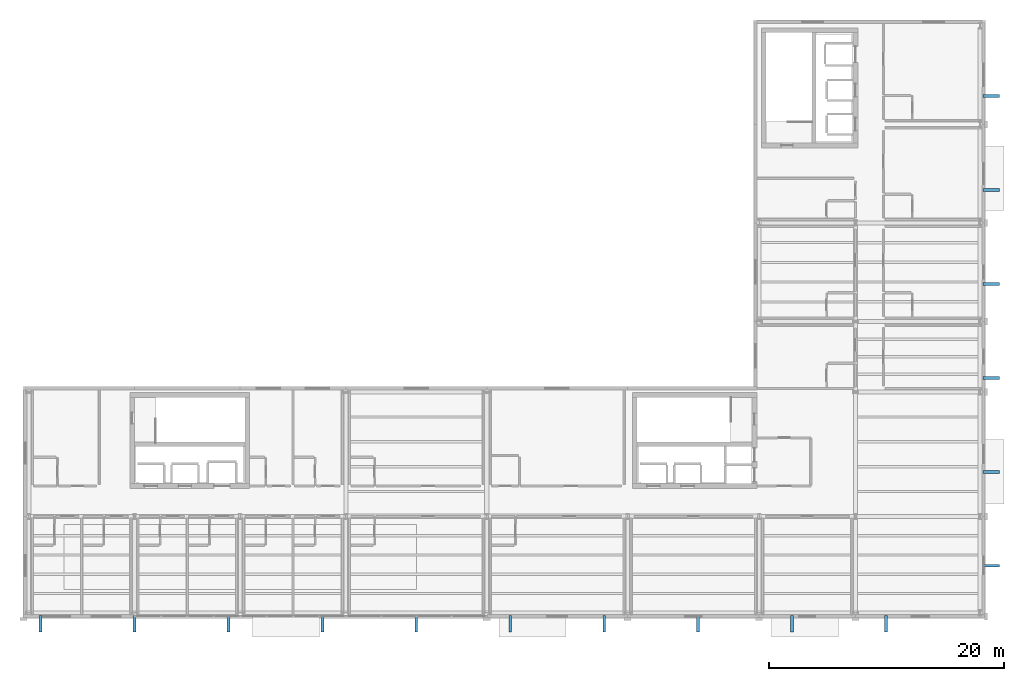
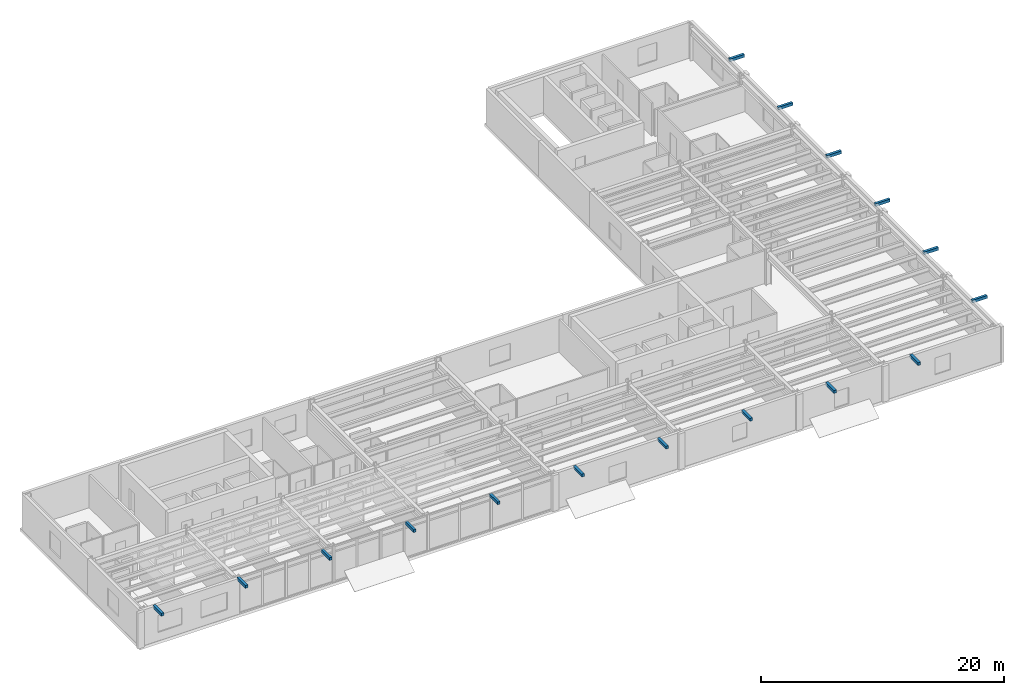
# One storey, part 18 of 19: 16 discrete accessories.
"""IFC4 building model written with IfcOpenShell, lengths in metres."""

from ifc_helpers import new_model, si_unit, direction, frame, origin, origin_2d, place, context, subcontext, project, spatial, rectangle, extrude, material, type_object, element, save


model = new_model("IFC4")

# Units and contexts
model_context = context("Model", 3, precision=1e-05, world=origin(), true_north=direction((0.0, 1.0)))
body_context = subcontext(model_context, "Body", "Model", "MODEL_VIEW")
ifc_project = project(units=[si_unit("LENGTHUNIT", "METRE"), si_unit("AREAUNIT", "SQUARE_METRE"), si_unit("VOLUMEUNIT", "CUBIC_METRE"), si_unit("PLANEANGLEUNIT", "RADIAN"), si_unit("MASSUNIT", "GRAM", prefix="KILO")], contexts=[model_context])

# Site, building, storey
site_placement = place(None, origin())
site = spatial("IfcSite", under=ifc_project, at=site_placement, CompositionType="ELEMENT")
building_placement = place(site_placement, origin())
building = spatial("IfcBuilding", under=site, at=building_placement, Name="Sollismere Congress Hotel", CompositionType="ELEMENT")
storey_placement = place(building_placement, frame((0.0, 0.0, 44.60009765625)))
storey = spatial("IfcBuildingStorey", under=building, at=storey_placement, Name="L11", CompositionType="ELEMENT", Elevation=44.60009765625)

# Discrete accessories
ifc_material = material(Name="Steel ASTM A572 Grade 50", Category="steel")
discrete_accessory_type = type_object("IfcDiscreteAccessoryType", Name="BRK-STL", PredefinedType="BRACKET", material=ifc_material)
for number, where, z_axis, x_axis, name in (
    (1, (86.0, -0.949951171875, 3.33984375), (0.0, 0.0, 1.0), (1.0, 0.0, 0.0), "BRK-MD-071"),
    (2, (94.0, -0.949951171875, 3.33984375), (0.0, 0.0, 1.0), (1.0, 0.0, 0.0), "BRK-MD-072"),
    (3, (102.0, -0.949951171875, 3.33984375), (0.0, 0.0, 1.0), (1.0, 0.0, 0.0), "BRK-MD-073"),
    (4, (110.0, -0.949951171875, 3.33984375), (0.0, 0.0, 1.0), (1.0, 0.0, 0.0), "BRK-MD-074"),
    (5, (118.0, -0.949951171875, 3.33984375), (0.0, 0.0, 1.0), (1.0, 0.0, 0.0), "BRK-MD-075"),
    (6, (126.0, -0.949951171875, 3.33984375), (0.0, 0.0, 1.0), (1.0, 0.0, 0.0), "BRK-MD-076"),
    (7, (134.0, -0.949951171875, 3.33984375), (0.0, 0.0, 1.0), (1.0, 0.0, 0.0), "BRK-MD-077"),
    (8, (142.0, -0.949951171875, 3.33984375), (0.0, 0.0, 1.0), (1.0, 0.0, 0.0), "BRK-MD-078"),
    (9, (150.0, -0.949951171875, 3.33984375), (0.0, 0.0, 1.0), (1.0, 0.0, 0.0), "BRK-MD-079"),
    (10, (158.0, -0.949951171875, 3.33984375), (0.0, 0.0, 1.0), (1.0, 0.0, 0.0), "BRK-MD-080"),
):
    element("IfcDiscreteAccessory", number, at=place(storey_placement, frame(where, z_axis=z_axis, x_axis=x_axis)), inside=storey, type_object=discrete_accessory_type, Name=name, PredefinedType="BRACKET", context=body_context, shape_type="SweptSolid", body=[
        extrude(rectangle(XDim=0.239990234375, YDim=1.39990234375, at=origin_2d()), origin(), (0.0, 0.0, 1.0), 0.280029296875),
    ])
for number, where, z_axis, x_axis, name in (
    (11, (166.949951171875, 4.0, 3.33984375), (0.0, 0.0, 1.0), (1.0, 0.0, 0.0), "BRK-MD-081"),
    (12, (166.949951171875, 12.0, 3.33984375), (0.0, 0.0, 1.0), (1.0, 0.0, 0.0), "BRK-MD-082"),
    (13, (166.949951171875, 20.0, 3.33984375), (0.0, 0.0, 1.0), (1.0, 0.0, 0.0), "BRK-MD-083"),
    (14, (166.949951171875, 28.0, 3.33984375), (0.0, 0.0, 1.0), (1.0, 0.0, 0.0), "BRK-MD-084"),
    (15, (166.949951171875, 36.0, 3.33984375), (0.0, 0.0, 1.0), (1.0, 0.0, 0.0), "BRK-MD-085"),
    (16, (166.949951171875, 44.0, 3.33984375), (0.0, 0.0, 1.0), (1.0, 0.0, 0.0), "BRK-MD-086"),
):
    element("IfcDiscreteAccessory", number, at=place(storey_placement, frame(where, z_axis=z_axis, x_axis=x_axis)), inside=storey, type_object=discrete_accessory_type, Name=name, PredefinedType="BRACKET", context=body_context, shape_type="SweptSolid", body=[
        extrude(rectangle(XDim=1.39990234375, YDim=0.239990234375, at=origin_2d()), origin(), (0.0, 0.0, 1.0), 0.280029296875),
    ])

save(model, "model.ifc")
